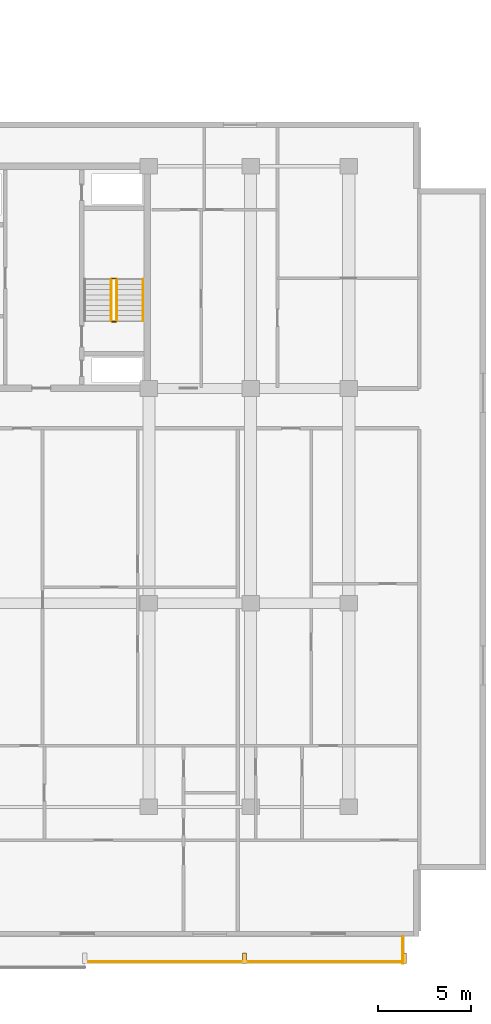
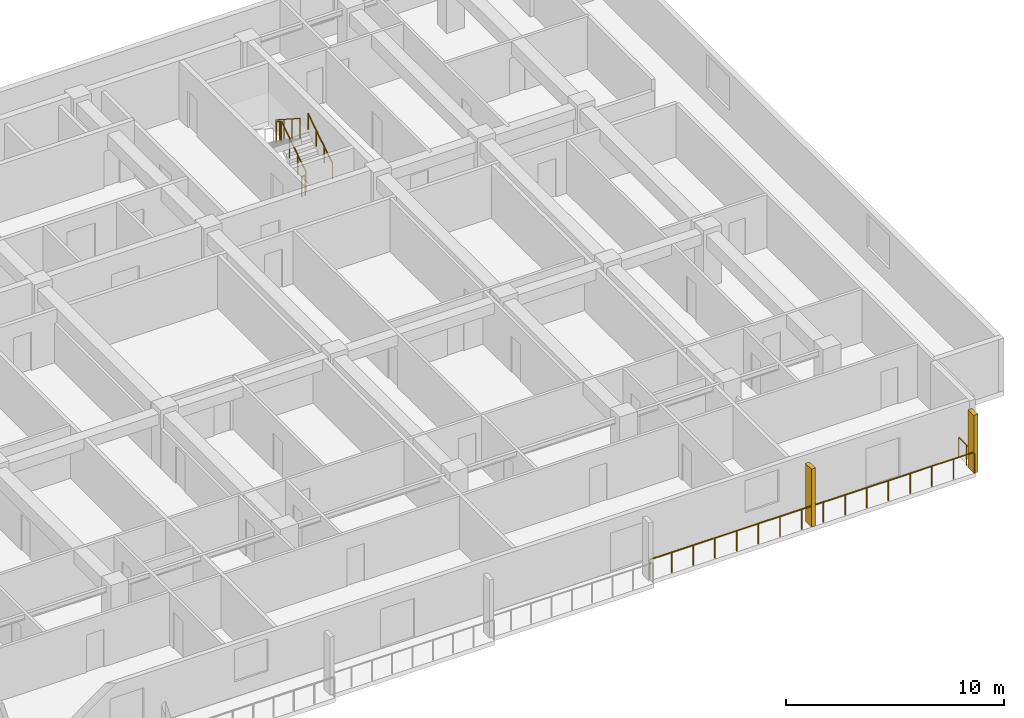
# One storey, part 22 of 24: 7 railings, 2 shading devices.
"""IFC4 building model written with IfcOpenShell, lengths in metres."""

import ifcopenshell
import ifcopenshell.guid

model = None  # the IFC model being written
_history = None  # IfcOwnerHistory: only IFC2X3 demands one
_inside = {}  # id of a spatial element -> (the spatial element, [elements in it])
_under = {}  # id of a project, library or spatial element -> (it, [spatial elements below it])
_declared = {}  # id of a project -> (the project, [libraries it declares])
_typed = {}  # id of a type object -> (the type object, [elements of that type])
_made_of = {}  # id of a material, layer set ... -> (it, [elements and type objects made of it])


def new_model(schema):
    """Start an empty IFC model of exactly this schema.

    Asked for "IFC4X3", IfcOpenShell would pick the latest addendum, in which some entities
    have other attributes; the version numbers below select the first issue.
    IFC2X3 requires an IfcOwnerHistory on every rooted entity: one is made here for all.
    """
    global model, _history
    if schema == "IFC4X3":
        model = ifcopenshell.file(schema_version=(4, 3, 0, 0))
    else:
        model = ifcopenshell.file(schema=schema)
    _inside.clear()
    _under.clear()
    _declared.clear()
    _typed.clear()
    _made_of.clear()
    _history = None
    if model.schema == "IFC2X3":
        org = make("IfcOrganization", Name="unknown")
        user = make(
            "IfcPersonAndOrganization",
            ThePerson=make("IfcPerson", FamilyName="unknown"),
            TheOrganization=org,
        )
        app = make(
            "IfcApplication",
            ApplicationDeveloper=org,
            Version="unknown",
            ApplicationFullName="unknown",
            ApplicationIdentifier="unknown",
        )
        _history = make(
            "IfcOwnerHistory",
            OwningUser=user,
            OwningApplication=app,
            ChangeAction="ADDED",
            CreationDate=0,
        )
    return model


def make(cls, **values):
    """One entity of the class cls with the attributes given. An attribute that is None is left unset."""
    return model.create_entity(
        cls, **{name: value for name, value in values.items() if value is not None}
    )


def rooted(cls, **values):
    """An entity with a GlobalId (a new one), such as an element, a storey or a relation."""
    return make(cls, GlobalId=ifcopenshell.guid.new(), OwnerHistory=_history, **values)


def si_unit(unit_type, name, prefix=None):
    """IfcSIUnit, for example si_unit("LENGTHUNIT", "METRE", prefix="MILLI")."""
    return make("IfcSIUnit", UnitType=unit_type, Prefix=prefix, Name=name)


def assignment(units):
    """IfcUnitAssignment: the units of a project."""
    return None if units is None else make("IfcUnitAssignment", Units=units)


def point(xyz):
    """IfcCartesianPoint."""
    return None if xyz is None else make("IfcCartesianPoint", Coordinates=xyz)


def direction(xyz):
    """IfcDirection."""
    return None if xyz is None else make("IfcDirection", DirectionRatios=xyz)


def frame(location, z_axis=None, x_axis=None):
    """IfcAxis2Placement3D, a coordinate frame: its origin and axes. An axis left out is left unset."""
    return make(
        "IfcAxis2Placement3D",
        Location=point(location),
        Axis=direction(z_axis),
        RefDirection=direction(x_axis),
    )


def frame_2d(location, x_axis=None):
    """IfcAxis2Placement2D, a coordinate frame in the plane: its origin and x axis."""
    return make(
        "IfcAxis2Placement2D", Location=point(location), RefDirection=direction(x_axis)
    )


def origin():
    """The frame at (0, 0, 0) with its axes left unset."""
    return frame((0.0, 0.0, 0.0))


def origin_2d():
    """The frame at (0, 0) in the plane with its x axis left unset."""
    return frame_2d((0.0, 0.0))


def place(relative_to, where):
    """IfcLocalPlacement: puts the frame where relative to a parent placement (None: the world)."""
    return make(
        "IfcLocalPlacement", PlacementRelTo=relative_to, RelativePlacement=where
    )


def context(
    kind, dimensions, precision=None, world=None, true_north=None, identifier=None
):
    """IfcGeometricRepresentationContext, for example the 3D "Model" context."""
    return make(
        "IfcGeometricRepresentationContext",
        ContextIdentifier=identifier,
        ContextType=kind,
        CoordinateSpaceDimension=dimensions,
        Precision=precision,
        WorldCoordinateSystem=world,
        TrueNorth=true_north,
    )


def subcontext(parent, identifier, kind, view, scale=None):
    """IfcGeometricRepresentationSubContext, for example "Body" below "Model"."""
    return make(
        "IfcGeometricRepresentationSubContext",
        ContextIdentifier=identifier,
        ContextType=kind,
        ParentContext=parent,
        TargetScale=scale,
        TargetView=view,
    )


def project(units=None, contexts=None):
    """IfcProject with its units and contexts."""
    return rooted(
        "IfcProject",
        Name="project",
        RepresentationContexts=contexts,
        UnitsInContext=assignment(units),
    )


def spatial(cls, under=None, at=None, **own):
    """A site, building, storey or space (cls), placed at a placement, below another one or the project."""
    s = rooted(cls, ObjectPlacement=at, **own)
    if under is not None:
        _under.setdefault(under.id(), (under, []))[1].append(s)
    return s


def profile(cls, at=None, kind="AREA", **sizes):
    """A parametric profile (cls). Its sizes go by their IFC names, for example OverallWidth=200.0."""
    return make(cls, ProfileType=kind, Position=at, **sizes)


def rectangle(**sizes):
    """IfcRectangleProfileDef."""
    return profile("IfcRectangleProfileDef", **sizes)


def circle(**sizes):
    """IfcCircleProfileDef."""
    return profile("IfcCircleProfileDef", **sizes)


def extrude(swept, where, along, depth):
    """IfcExtrudedAreaSolid: the profile swept, set in the frame where, extruded along a direction by depth."""
    return make(
        "IfcExtrudedAreaSolid",
        SweptArea=swept,
        Position=where,
        ExtrudedDirection=direction(along),
        Depth=depth,
    )


def shape(context_of_items, identifier, shape_type, items):
    """IfcShapeRepresentation: the items that make up one representation, for example the "Body"."""
    return make(
        "IfcShapeRepresentation",
        ContextOfItems=context_of_items,
        RepresentationIdentifier=identifier,
        RepresentationType=shape_type,
        Items=items,
    )


def material(Name=None, Category=None):
    """IfcMaterial."""
    return make("IfcMaterial", Name=Name, Category=Category)


def made_of(thing, what):
    """Note that an element or type object is made of a material, layer set ...; save() writes the relation."""
    if what is not None:
        _made_of.setdefault(what.id(), (what, []))[1].append(thing)
    return thing


def type_object(cls, material=None, **own):
    """A type object (cls), such as IfcWallType, which elements share."""
    return made_of(rooted(cls, **own), material)


def element(
    cls,
    number,
    at=None,
    inside=None,
    cuts=None,
    type_object=None,
    material=None,
    context=None,
    identifier="Body",
    shape_type=None,
    held_by="IfcProductDefinitionShape",
    body=None,
    shapes=None,
    **own,
):
    """One element of the class cls, such as IfcWall. Its Tag is "e" and its number.

    at: its placement. inside: the storey or other place that contains it. cuts: it is an
    opening in that element (IfcRelVoidsElement). A single representation is given by context,
    identifier, shape_type and body (its items); several are given by shapes. held_by: the class
    of the entity that holds the representations. save() writes the other relations.
    """
    e = rooted(cls, Tag="e%d" % number, ObjectPlacement=at, **own)
    if body is not None:
        shapes = [shape(context, identifier, shape_type, body)]
    if shapes is not None:
        e.Representation = make(held_by, Representations=shapes)
    if inside is not None:
        _inside.setdefault(inside.id(), (inside, []))[1].append(e)
    if cuts is not None:
        rooted(
            "IfcRelVoidsElement", RelatingBuildingElement=cuts, RelatedOpeningElement=e
        )
    if type_object is not None:
        _typed.setdefault(type_object.id(), (type_object, []))[1].append(e)
    return made_of(e, material)


def aggregate(whole, parts):
    """IfcRelAggregates: a whole, such as a stair, and the parts it consists of."""
    return rooted("IfcRelAggregates", RelatingObject=whole, RelatedObjects=parts)


def save(model, path):
    """Write the relations noted so far, then the file.

    IfcRelAggregates (storeys below a building ...), IfcRelContainedInSpatialStructure (elements
    in a storey), IfcRelDefinesByType, IfcRelAssociatesMaterial and IfcRelDeclares: one each for
    every whole, place, type object, material and project.
    """
    for whole, parts in _under.values():
        aggregate(whole, parts)
    for where, things in _inside.values():
        rooted(
            "IfcRelContainedInSpatialStructure",
            RelatedElements=things,
            RelatingStructure=where,
        )
    for kind, things in _typed.values():
        rooted("IfcRelDefinesByType", RelatedObjects=things, RelatingType=kind)
    for what, things in _made_of.values():
        rooted("IfcRelAssociatesMaterial", RelatedObjects=things, RelatingMaterial=what)
    for by, libraries in _declared.values():
        rooted("IfcRelDeclares", RelatingContext=by, RelatedDefinitions=libraries)
    model.write(path)


model = new_model("IFC4")

# Units and contexts
model_context = context("Model", 3, precision=1e-05, world=origin(), true_north=direction((0.0, 1.0)))
body_context = subcontext(model_context, "Body", "Model", "MODEL_VIEW")
ifc_project = project(units=[si_unit("LENGTHUNIT", "METRE"), si_unit("AREAUNIT", "SQUARE_METRE"), si_unit("VOLUMEUNIT", "CUBIC_METRE"), si_unit("PLANEANGLEUNIT", "RADIAN"), si_unit("MASSUNIT", "GRAM", prefix="KILO")], contexts=[model_context])

# Site, building, storey
site_placement = place(None, origin())
site = spatial("IfcSite", under=ifc_project, at=site_placement, CompositionType="ELEMENT")
building_placement = place(site_placement, origin())
building = spatial("IfcBuilding", under=site, at=building_placement, Name="Korimba Cascade Residences", CompositionType="ELEMENT")
storey_placement = place(building_placement, frame((0.0, 0.0, 63.0)))
storey = spatial("IfcBuildingStorey", under=building, at=storey_placement, Name="L17", CompositionType="ELEMENT", Elevation=63.0)

# Railings
ifc_material_1 = material(Name="Laminated Glass and Bronze Balustrade", Category="glass")
railing_type_1 = type_object("IfcRailingType", Name="RLG-LOG-1150", PredefinedType="BALUSTRADE", material=ifc_material_1)
railing_1_placement = place(storey_placement, frame((114.642822265625, -12.570068359375, 0.0)))
element("IfcRailing", 1, at=railing_1_placement, inside=storey, type_object=railing_type_1, Name="L17 Perimeter Guardrail RLG-L17-T2-LOG-06", PredefinedType="BALUSTRADE", context=body_context, shape_type="SweptSolid", body=[
    extrude(circle(Radius=0.02392578125, at=origin_2d()), frame((0.0, 0.0, 1.1259765625), z_axis=(1.0, 0.0, 0.0), x_axis=(0.0, 1.0, 0.0)), (0.0, 0.0, 1.0), 17.257080078125),
    extrude(circle(Radius=0.02099609375, at=origin_2d()), origin(), (0.0, 0.0, 1.0), 1.101806640625),
    extrude(circle(Radius=0.02099609375, at=origin_2d()), frame((1.150390625, 0.0, 0.0)), (0.0, 0.0, 1.0), 1.101806640625),
    extrude(circle(Radius=0.02099609375, at=origin_2d()), frame((2.301025390625, 0.0, 0.0)), (0.0, 0.0, 1.0), 1.101806640625),
    extrude(circle(Radius=0.02099609375, at=origin_2d()), frame((3.451416015625, 0.0, 0.0)), (0.0, 0.0, 1.0), 1.101806640625),
    extrude(circle(Radius=0.02099609375, at=origin_2d()), frame((4.601806640625, 0.0, 0.0)), (0.0, 0.0, 1.0), 1.101806640625),
    extrude(circle(Radius=0.02099609375, at=origin_2d()), frame((5.75244140625, 0.0, 0.0)), (0.0, 0.0, 1.0), 1.101806640625),
    extrude(circle(Radius=0.02099609375, at=origin_2d()), frame((6.90283203125, 0.0, 0.0)), (0.0, 0.0, 1.0), 1.101806640625),
    extrude(circle(Radius=0.02099609375, at=origin_2d()), frame((8.05322265625, 0.0, 0.0)), (0.0, 0.0, 1.0), 1.101806640625),
    extrude(circle(Radius=0.02099609375, at=origin_2d()), frame((9.203857421875, 0.0, 0.0)), (0.0, 0.0, 1.0), 1.101806640625),
    extrude(circle(Radius=0.02099609375, at=origin_2d()), frame((10.354248046875, 0.0, 0.0)), (0.0, 0.0, 1.0), 1.101806640625),
    extrude(circle(Radius=0.02099609375, at=origin_2d()), frame((11.504638671875, 0.0, 0.0)), (0.0, 0.0, 1.0), 1.101806640625),
    extrude(circle(Radius=0.02099609375, at=origin_2d()), frame((12.6552734375, 0.0, 0.0)), (0.0, 0.0, 1.0), 1.101806640625),
    extrude(circle(Radius=0.02099609375, at=origin_2d()), frame((13.8056640625, 0.0, 0.0)), (0.0, 0.0, 1.0), 1.101806640625),
    extrude(circle(Radius=0.02099609375, at=origin_2d()), frame((14.9560546875, 0.0, 0.0)), (0.0, 0.0, 1.0), 1.101806640625),
    extrude(circle(Radius=0.02099609375, at=origin_2d()), frame((16.106689453125, 0.0, 0.0)), (0.0, 0.0, 1.0), 1.101806640625),
    extrude(circle(Radius=0.02099609375, at=origin_2d()), frame((17.257080078125, 0.0, 0.0)), (0.0, 0.0, 1.0), 1.101806640625),
])
railing_2_placement = place(storey_placement, frame((131.820068359375, -12.64990234375, 0.0)))
element("IfcRailing", 2, at=railing_2_placement, inside=storey, type_object=railing_type_1, Name="L17 Perimeter Guardrail RLG-L17-T2-LOG-07", PredefinedType="BALUSTRADE", context=body_context, shape_type="SweptSolid", body=[
    extrude(circle(Radius=0.02392578125, at=origin_2d()), frame((0.0, 0.0, 1.1259765625), z_axis=(0.0, 1.0, 0.0), x_axis=(-1.0, 0.0, 0.0)), (0.0, 0.0, 1.0), 1.449951171875),
    extrude(circle(Radius=0.02099609375, at=origin_2d()), origin(), (0.0, 0.0, 1.0), 1.101806640625),
    extrude(circle(Radius=0.02099609375, at=origin_2d()), frame((0.0, 0.72509765625, 0.0)), (0.0, 0.0, 1.0), 1.101806640625),
    extrude(circle(Radius=0.02099609375, at=origin_2d()), frame((0.0, 1.449951171875, 0.0)), (0.0, 0.0, 1.0), 1.101806640625),
])
ifc_material_2 = material(Name="Painted Steel Stairwell Guardrail", Category="steel")
railing_type_2 = type_object("IfcRailingType", Name="RLG-ST-GD1150", PredefinedType="GUARDRAIL", material=ifc_material_2)
railing_3_placement = place(storey_placement, frame((116.3701171875, 22.050048828125, 0.1806640625)))
element("IfcRailing", 3, at=railing_3_placement, inside=storey, type_object=railing_type_2, Name="L17 ST-E2 stair guard 1", PredefinedType="GUARDRAIL", context=body_context, shape_type="SweptSolid", body=[
    extrude(circle(Radius=0.02392578125, at=origin_2d()), frame((0.0, 0.0, 1.1259765625), z_axis=(0.0, 0.840436612492, 0.541909863706), x_axis=(-1.0, 0.0, 0.0)), (0.0, 0.0, 1.0), 2.665283203125),
    extrude(circle(Radius=0.02099609375, at=origin_2d()), origin(), (0.0, 0.0, 1.0), 1.101806640625),
    extrude(circle(Radius=0.02099609375, at=origin_2d()), frame((0.0, 0.74658203125, 0.4814453125)), (0.0, 0.0, 1.0), 1.101806640625),
    extrude(circle(Radius=0.02099609375, at=origin_2d()), frame((0.0, 1.493408203125, 0.962890625)), (0.0, 0.0, 1.0), 1.101806640625),
    extrude(circle(Radius=0.02099609375, at=origin_2d()), frame((0.0, 2.239990234375, 1.4443359375)), (0.0, 0.0, 1.0), 1.101806640625),
])
railing_4_placement = place(storey_placement, frame((116.320068359375, 24.340087890625, 1.625)))
element("IfcRailing", 4, at=railing_4_placement, inside=storey, type_object=railing_type_2, Name="L17 ST-E2 stair guard 2", PredefinedType="GUARDRAIL", context=body_context, shape_type="SweptSolid", body=[
    extrude(circle(Radius=0.02392578125, at=origin_2d()), frame((0.0, 0.0, 1.1259765625), z_axis=(-1.0, 0.0, 0.0), x_axis=(0.0, -1.0, 0.0)), (0.0, 0.0, 1.0), 0.199951171875),
    extrude(circle(Radius=0.02099609375, at=origin_2d()), origin(), (0.0, 0.0, 1.0), 1.101806640625),
    extrude(circle(Radius=0.02099609375, at=origin_2d()), frame((-0.199951171875, 0.0, 0.0)), (0.0, 0.0, 1.0), 1.101806640625),
])
railing_5_placement = place(storey_placement, frame((116.070068359375, 24.2900390625, 1.8056640625)))
element("IfcRailing", 5, at=railing_5_placement, inside=storey, type_object=railing_type_2, Name="L17 ST-E2 stair guard 3", PredefinedType="GUARDRAIL", context=body_context, shape_type="SweptSolid", body=[
    extrude(circle(Radius=0.02392578125, at=origin_2d()), frame((0.0, 0.0, 1.1259765625), z_axis=(0.0, -0.840436612492, 0.541909863706), x_axis=(1.0, 0.0, 0.0)), (0.0, 0.0, 1.0), 2.665283203125),
    extrude(circle(Radius=0.02099609375, at=origin_2d()), origin(), (0.0, 0.0, 1.0), 1.101806640625),
    extrude(circle(Radius=0.02099609375, at=origin_2d()), frame((0.0, -0.74658203125, 0.4814453125)), (0.0, 0.0, 1.0), 1.101806640625),
    extrude(circle(Radius=0.02099609375, at=origin_2d()), frame((0.0, -1.493408203125, 0.962890625)), (0.0, 0.0, 1.0), 1.101806640625),
    extrude(circle(Radius=0.02099609375, at=origin_2d()), frame((0.0, -2.239990234375, 1.4443359375)), (0.0, 0.0, 1.0), 1.101806640625),
])
railing_6_placement = place(storey_placement, frame((116.320068359375, 22.0, 0.0)))
element("IfcRailing", 6, at=railing_6_placement, inside=storey, type_object=railing_type_2, Name="L17 ST-E2 stair guard 4", PredefinedType="GUARDRAIL", context=body_context, shape_type="SweptSolid", body=[
    extrude(circle(Radius=0.02392578125, at=origin_2d()), frame((0.0, 0.0, 1.1259765625), z_axis=(-1.0, 0.0, 0.0), x_axis=(0.0, -1.0, 0.0)), (0.0, 0.0, 1.0), 0.199951171875),
    extrude(circle(Radius=0.02099609375, at=origin_2d()), origin(), (0.0, 0.0, 1.0), 1.101806640625),
    extrude(circle(Radius=0.02099609375, at=origin_2d()), frame((-0.199951171875, 0.0, 0.0)), (0.0, 0.0, 1.0), 1.101806640625),
])
ifc_material_3 = material(Name="Brushed Stainless Steel Handrail", Category="steel")
railing_type_3 = type_object("IfcRailingType", Name="RLG-ST-HR900", PredefinedType="HANDRAIL", material=ifc_material_3)
railing_7_placement = place(storey_placement, frame((117.7900390625, 22.050048828125, 0.364990234375)))
element("IfcRailing", 7, at=railing_7_placement, inside=storey, type_object=railing_type_3, Name="L17 ST-E2 stair handrail 1", PredefinedType="HANDRAIL", context=body_context, shape_type="SweptSolid", body=[
    extrude(circle(Radius=0.02392578125, at=origin_2d()), frame((0.0, 0.0, 0.8759765625), z_axis=(0.0, 0.840436612492, 0.541909863706), x_axis=(-1.0, 0.0, 0.0)), (0.0, 0.0, 1.0), 2.665283203125),
    extrude(circle(Radius=0.02099609375, at=origin_2d()), origin(), (0.0, 0.0, 1.0), 0.851806640625),
    extrude(circle(Radius=0.02099609375, at=origin_2d()), frame((0.0, 0.74658203125, 0.4814453125)), (0.0, 0.0, 1.0), 0.851806640625),
    extrude(circle(Radius=0.02099609375, at=origin_2d()), frame((0.0, 1.493408203125, 0.962890625)), (0.0, 0.0, 1.0), 0.851806640625),
    extrude(circle(Radius=0.02099609375, at=origin_2d()), frame((0.0, 2.239990234375, 1.4443359375)), (0.0, 0.0, 1.0), 0.851806640625),
])

# Shading devices
ifc_material_4 = material(Name="Honed Sandstone Precast Fin", Category="masonry")
shading_device_type = type_object("IfcShadingDeviceType", Name="SHD-FIN-550", PredefinedType="USERDEFINED", material=ifc_material_4)
for number, where, z_axis, x_axis, name in (
    (8, (123.271484375, -12.375, 0.0), (0.0, 0.0, 1.0), (1.0, 0.0, 0.0), "L17 T2 Warm-Stone Loggia Fin 7"),
    (9, (131.89990234375, -12.375, 0.0), (0.0, 0.0, 1.0), (1.0, 0.0, 0.0), "L17 T2 Warm-Stone Loggia Fin 8"),
):
    element("IfcShadingDevice", number, at=place(storey_placement, frame(where, z_axis=z_axis, x_axis=x_axis)), inside=storey, type_object=shading_device_type, Name=name, ObjectType="FIN", PredefinedType="USERDEFINED", context=body_context, shape_type="SweptSolid", body=[
        extrude(rectangle(XDim=0.219970703125, YDim=0.550048828125, at=origin_2d()), origin(), (0.0, 0.0, 1.0), 3.25),
    ])

save(model, "model.ifc")
